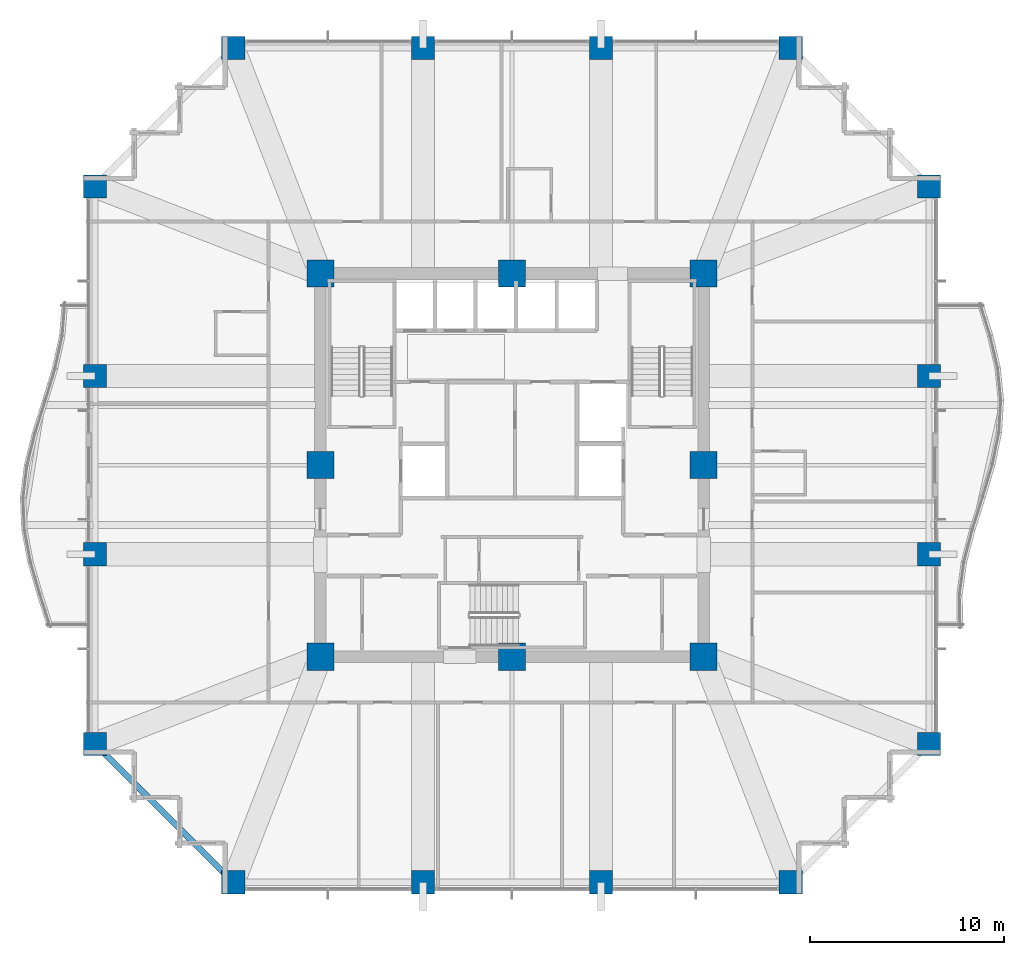
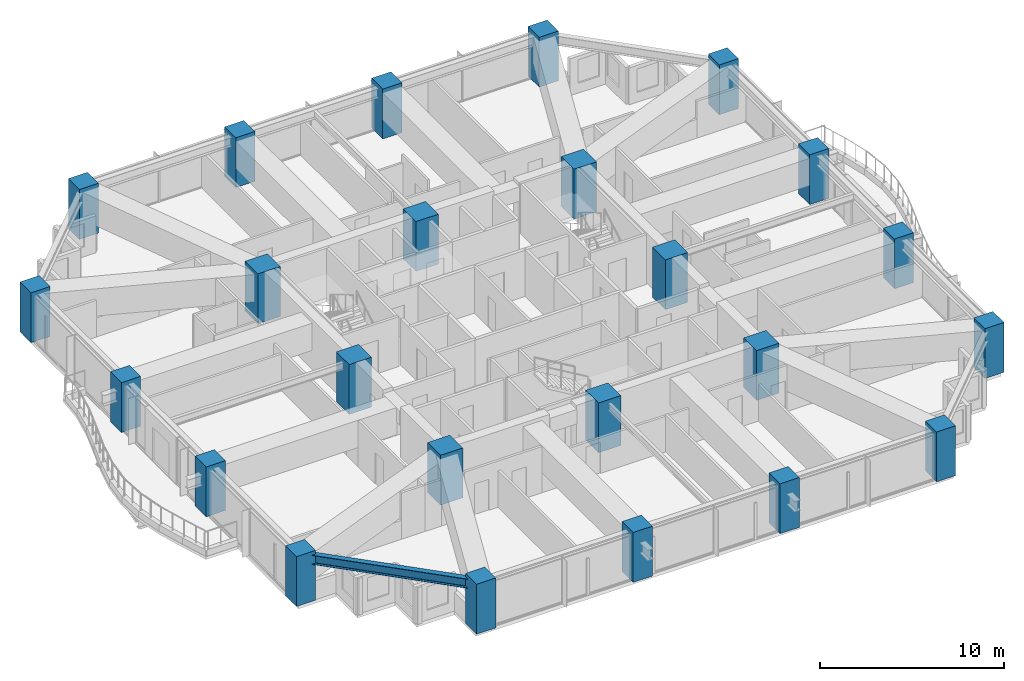
# One storey, part 1 of 39: 24 columns, 1 beam.
"""IFC4 building model written with IfcOpenShell, lengths in metres."""

import ifcopenshell
import ifcopenshell.guid

model = None  # the IFC model being written
_history = None  # IfcOwnerHistory: only IFC2X3 demands one
_inside = {}  # id of a spatial element -> (the spatial element, [elements in it])
_under = {}  # id of a project, library or spatial element -> (it, [spatial elements below it])
_declared = {}  # id of a project -> (the project, [libraries it declares])
_typed = {}  # id of a type object -> (the type object, [elements of that type])
_made_of = {}  # id of a material, layer set ... -> (it, [elements and type objects made of it])


def new_model(schema):
    """Start an empty IFC model of exactly this schema.

    Asked for "IFC4X3", IfcOpenShell would pick the latest addendum, in which some entities
    have other attributes; the version numbers below select the first issue.
    IFC2X3 requires an IfcOwnerHistory on every rooted entity: one is made here for all.
    """
    global model, _history
    if schema == "IFC4X3":
        model = ifcopenshell.file(schema_version=(4, 3, 0, 0))
    else:
        model = ifcopenshell.file(schema=schema)
    _inside.clear()
    _under.clear()
    _declared.clear()
    _typed.clear()
    _made_of.clear()
    _history = None
    if model.schema == "IFC2X3":
        org = make("IfcOrganization", Name="unknown")
        user = make(
            "IfcPersonAndOrganization",
            ThePerson=make("IfcPerson", FamilyName="unknown"),
            TheOrganization=org,
        )
        app = make(
            "IfcApplication",
            ApplicationDeveloper=org,
            Version="unknown",
            ApplicationFullName="unknown",
            ApplicationIdentifier="unknown",
        )
        _history = make(
            "IfcOwnerHistory",
            OwningUser=user,
            OwningApplication=app,
            ChangeAction="ADDED",
            CreationDate=0,
        )
    return model


def make(cls, **values):
    """One entity of the class cls with the attributes given. An attribute that is None is left unset."""
    return model.create_entity(
        cls, **{name: value for name, value in values.items() if value is not None}
    )


def rooted(cls, **values):
    """An entity with a GlobalId (a new one), such as an element, a storey or a relation."""
    return make(cls, GlobalId=ifcopenshell.guid.new(), OwnerHistory=_history, **values)


def si_unit(unit_type, name, prefix=None):
    """IfcSIUnit, for example si_unit("LENGTHUNIT", "METRE", prefix="MILLI")."""
    return make("IfcSIUnit", UnitType=unit_type, Prefix=prefix, Name=name)


def assignment(units):
    """IfcUnitAssignment: the units of a project."""
    return None if units is None else make("IfcUnitAssignment", Units=units)


def point(xyz):
    """IfcCartesianPoint."""
    return None if xyz is None else make("IfcCartesianPoint", Coordinates=xyz)


def direction(xyz):
    """IfcDirection."""
    return None if xyz is None else make("IfcDirection", DirectionRatios=xyz)


def frame(location, z_axis=None, x_axis=None):
    """IfcAxis2Placement3D, a coordinate frame: its origin and axes. An axis left out is left unset."""
    return make(
        "IfcAxis2Placement3D",
        Location=point(location),
        Axis=direction(z_axis),
        RefDirection=direction(x_axis),
    )


def frame_2d(location, x_axis=None):
    """IfcAxis2Placement2D, a coordinate frame in the plane: its origin and x axis."""
    return make(
        "IfcAxis2Placement2D", Location=point(location), RefDirection=direction(x_axis)
    )


def origin():
    """The frame at (0, 0, 0) with its axes left unset."""
    return frame((0.0, 0.0, 0.0))


def origin_2d():
    """The frame at (0, 0) in the plane with its x axis left unset."""
    return frame_2d((0.0, 0.0))


def place(relative_to, where):
    """IfcLocalPlacement: puts the frame where relative to a parent placement (None: the world)."""
    return make(
        "IfcLocalPlacement", PlacementRelTo=relative_to, RelativePlacement=where
    )


def context(
    kind, dimensions, precision=None, world=None, true_north=None, identifier=None
):
    """IfcGeometricRepresentationContext, for example the 3D "Model" context."""
    return make(
        "IfcGeometricRepresentationContext",
        ContextIdentifier=identifier,
        ContextType=kind,
        CoordinateSpaceDimension=dimensions,
        Precision=precision,
        WorldCoordinateSystem=world,
        TrueNorth=true_north,
    )


def subcontext(parent, identifier, kind, view, scale=None):
    """IfcGeometricRepresentationSubContext, for example "Body" below "Model"."""
    return make(
        "IfcGeometricRepresentationSubContext",
        ContextIdentifier=identifier,
        ContextType=kind,
        ParentContext=parent,
        TargetScale=scale,
        TargetView=view,
    )


def project(units=None, contexts=None):
    """IfcProject with its units and contexts."""
    return rooted(
        "IfcProject",
        Name="project",
        RepresentationContexts=contexts,
        UnitsInContext=assignment(units),
    )


def spatial(cls, under=None, at=None, **own):
    """A site, building, storey or space (cls), placed at a placement, below another one or the project."""
    s = rooted(cls, ObjectPlacement=at, **own)
    if under is not None:
        _under.setdefault(under.id(), (under, []))[1].append(s)
    return s


def profile(cls, at=None, kind="AREA", **sizes):
    """A parametric profile (cls). Its sizes go by their IFC names, for example OverallWidth=200.0."""
    return make(cls, ProfileType=kind, Position=at, **sizes)


def rectangle(**sizes):
    """IfcRectangleProfileDef."""
    return profile("IfcRectangleProfileDef", **sizes)


def i_section(**sizes):
    """IfcIShapeProfileDef."""
    return profile("IfcIShapeProfileDef", **sizes)


def extrude(swept, where, along, depth):
    """IfcExtrudedAreaSolid: the profile swept, set in the frame where, extruded along a direction by depth."""
    return make(
        "IfcExtrudedAreaSolid",
        SweptArea=swept,
        Position=where,
        ExtrudedDirection=direction(along),
        Depth=depth,
    )


def shape(context_of_items, identifier, shape_type, items):
    """IfcShapeRepresentation: the items that make up one representation, for example the "Body"."""
    return make(
        "IfcShapeRepresentation",
        ContextOfItems=context_of_items,
        RepresentationIdentifier=identifier,
        RepresentationType=shape_type,
        Items=items,
    )


def material(Name=None, Category=None):
    """IfcMaterial."""
    return make("IfcMaterial", Name=Name, Category=Category)


def material_profile(
    of_material, cross_section, Name=None, Category=None, Priority=None
):
    """IfcMaterialProfile: a cross section and its material."""
    return make(
        "IfcMaterialProfile",
        Name=Name,
        Material=of_material,
        Profile=cross_section,
        Priority=Priority,
        Category=Category,
    )


def profile_set(profiles, Name=None, composite=None):
    """IfcMaterialProfileSet."""
    return make(
        "IfcMaterialProfileSet",
        Name=Name,
        MaterialProfiles=profiles,
        CompositeProfile=composite,
    )


def made_of(thing, what):
    """Note that an element or type object is made of a material, layer set ...; save() writes the relation."""
    if what is not None:
        _made_of.setdefault(what.id(), (what, []))[1].append(thing)
    return thing


def type_object(cls, material=None, **own):
    """A type object (cls), such as IfcWallType, which elements share."""
    return made_of(rooted(cls, **own), material)


def element(
    cls,
    number,
    at=None,
    inside=None,
    cuts=None,
    type_object=None,
    material=None,
    context=None,
    identifier="Body",
    shape_type=None,
    held_by="IfcProductDefinitionShape",
    body=None,
    shapes=None,
    **own,
):
    """One element of the class cls, such as IfcWall. Its Tag is "e" and its number.

    at: its placement. inside: the storey or other place that contains it. cuts: it is an
    opening in that element (IfcRelVoidsElement). A single representation is given by context,
    identifier, shape_type and body (its items); several are given by shapes. held_by: the class
    of the entity that holds the representations. save() writes the other relations.
    """
    e = rooted(cls, Tag="e%d" % number, ObjectPlacement=at, **own)
    if body is not None:
        shapes = [shape(context, identifier, shape_type, body)]
    if shapes is not None:
        e.Representation = make(held_by, Representations=shapes)
    if inside is not None:
        _inside.setdefault(inside.id(), (inside, []))[1].append(e)
    if cuts is not None:
        rooted(
            "IfcRelVoidsElement", RelatingBuildingElement=cuts, RelatedOpeningElement=e
        )
    if type_object is not None:
        _typed.setdefault(type_object.id(), (type_object, []))[1].append(e)
    return made_of(e, material)


def aggregate(whole, parts):
    """IfcRelAggregates: a whole, such as a stair, and the parts it consists of."""
    return rooted("IfcRelAggregates", RelatingObject=whole, RelatedObjects=parts)


def save(model, path):
    """Write the relations noted so far, then the file.

    IfcRelAggregates (storeys below a building ...), IfcRelContainedInSpatialStructure (elements
    in a storey), IfcRelDefinesByType, IfcRelAssociatesMaterial and IfcRelDeclares: one each for
    every whole, place, type object, material and project.
    """
    for whole, parts in _under.values():
        aggregate(whole, parts)
    for where, things in _inside.values():
        rooted(
            "IfcRelContainedInSpatialStructure",
            RelatedElements=things,
            RelatingStructure=where,
        )
    for kind, things in _typed.values():
        rooted("IfcRelDefinesByType", RelatedObjects=things, RelatingType=kind)
    for what, things in _made_of.values():
        rooted("IfcRelAssociatesMaterial", RelatedObjects=things, RelatingMaterial=what)
    for by, libraries in _declared.values():
        rooted("IfcRelDeclares", RelatingContext=by, RelatedDefinitions=libraries)
    model.write(path)


model = new_model("IFC4")

# Units and contexts
model_context = context("Model", 3, precision=1e-05, world=origin(), true_north=direction((0.0, 1.0)))
body_context = subcontext(model_context, "Body", "Model", "MODEL_VIEW")
ifc_project = project(units=[si_unit("LENGTHUNIT", "METRE"), si_unit("AREAUNIT", "SQUARE_METRE"), si_unit("VOLUMEUNIT", "CUBIC_METRE"), si_unit("PLANEANGLEUNIT", "RADIAN"), si_unit("MASSUNIT", "GRAM", prefix="KILO")], contexts=[model_context])

# Site, building, storey
site_placement = place(None, origin())
site = spatial("IfcSite", under=ifc_project, at=site_placement, CompositionType="ELEMENT")
building_placement = place(site_placement, origin())
building = spatial("IfcBuilding", under=site, at=building_placement, Name="Kolvaren Belvedere", CompositionType="ELEMENT")
storey_placement = place(building_placement, frame((0.0, 0.0, 40.300048828125)))
storey = spatial("IfcBuildingStorey", under=building, at=storey_placement, Name="L11", CompositionType="ELEMENT", Elevation=40.300048828125)

# Columns
ifc_material_1 = material(Name="Concrete C60/75", Category="concrete")
ifc_material_profile_1 = material_profile(ifc_material_1, rectangle(XDim=1.199951171875, YDim=1.199951171875, at=origin_2d()), Name="RC 1200X1200")
ifc_profile_set_1 = profile_set([ifc_material_profile_1], Name="Concrete C60/75")
column_type_1 = type_object("IfcColumnType", Name="COL-RC-1200", PredefinedType="COLUMN", material=ifc_profile_set_1)
for number, where, z_axis, x_axis, name in (
    (1, (-14.39990234375, -21.550048828125, 0.0), (0.0, 0.0, 1.0), (1.0, 0.0, 0.0), "L11 Perimeter Column S1"),
    (2, (-4.60009765625, -21.550048828125, 0.0), (0.0, 0.0, 1.0), (1.0, 0.0, 0.0), "L11 Perimeter Column S2"),
    (3, (4.60009765625, -21.550048828125, 0.0), (0.0, 0.0, 1.0), (1.0, 0.0, 0.0), "L11 Perimeter Column S3"),
    (4, (14.39990234375, -21.550048828125, 0.0), (0.0, 0.0, 1.0), (1.0, 0.0, 0.0), "L11 Perimeter Column S4"),
    (5, (-14.39990234375, 21.550048828125, 0.0), (0.0, 0.0, 1.0), (1.0, 0.0, 0.0), "L11 Perimeter Column N1"),
    (6, (-4.60009765625, 21.550048828125, 0.0), (0.0, 0.0, 1.0), (1.0, 0.0, 0.0), "L11 Perimeter Column N2"),
    (7, (4.60009765625, 21.550048828125, 0.0), (0.0, 0.0, 1.0), (1.0, 0.0, 0.0), "L11 Perimeter Column N3"),
    (8, (14.39990234375, 21.550048828125, 0.0), (0.0, 0.0, 1.0), (1.0, 0.0, 0.0), "L11 Perimeter Column N4"),
    (9, (-21.550048828125, -14.39990234375, 0.0), (0.0, 0.0, 1.0), (1.0, 0.0, 0.0), "L11 Perimeter Column W1"),
    (10, (-21.550048828125, -4.60009765625, 0.0), (0.0, 0.0, 1.0), (1.0, 0.0, 0.0), "L11 Perimeter Column W2"),
    (11, (-21.550048828125, 4.60009765625, 0.0), (0.0, 0.0, 1.0), (1.0, 0.0, 0.0), "L11 Perimeter Column W3"),
    (12, (-21.550048828125, 14.39990234375, 0.0), (0.0, 0.0, 1.0), (1.0, 0.0, 0.0), "L11 Perimeter Column W4"),
    (13, (21.550048828125, -14.39990234375, 0.0), (0.0, 0.0, 1.0), (1.0, 0.0, 0.0), "L11 Perimeter Column E1"),
    (14, (21.550048828125, -4.60009765625, 0.0), (0.0, 0.0, 1.0), (1.0, 0.0, 0.0), "L11 Perimeter Column E2"),
    (15, (21.550048828125, 4.60009765625, 0.0), (0.0, 0.0, 1.0), (1.0, 0.0, 0.0), "L11 Perimeter Column E3"),
    (16, (21.550048828125, 14.39990234375, 0.0), (0.0, 0.0, 1.0), (1.0, 0.0, 0.0), "L11 Perimeter Column E4"),
):
    element("IfcColumn", number, at=place(storey_placement, frame(where, z_axis=z_axis, x_axis=x_axis)), inside=storey, type_object=column_type_1, Name=name, PredefinedType="COLUMN", context=body_context, shape_type="SweptSolid", body=[
        extrude(rectangle(XDim=1.199951171875, YDim=1.199951171875, at=origin_2d()), origin(), (0.0, 0.0, 1.0), 3.300048828125),
    ])
ifc_material_2 = material(Name="Concrete C60/75", Category="concrete")
ifc_material_profile_2 = material_profile(ifc_material_2, rectangle(XDim=1.39990234375, YDim=1.39990234375, at=origin_2d()), Name="RC 1400X1400")
ifc_profile_set_2 = profile_set([ifc_material_profile_2], Name="Concrete C60/75")
column_type_2 = type_object("IfcColumnType", Name="COL-RC-1400", PredefinedType="COLUMN", material=ifc_profile_set_2)
for number, where, z_axis, x_axis, name in (
    (17, (-9.89990234375, -9.89990234375, 0.0), (0.0, 0.0, 1.0), (1.0, 0.0, 0.0), "L11 Core Column CC1"),
    (18, (9.89990234375, -9.89990234375, 0.0), (0.0, 0.0, 1.0), (1.0, 0.0, 0.0), "L11 Core Column CC2"),
    (19, (9.89990234375, 9.89990234375, 0.0), (0.0, 0.0, 1.0), (1.0, 0.0, 0.0), "L11 Core Column CC3"),
    (20, (-9.89990234375, 9.89990234375, 0.0), (0.0, 0.0, 1.0), (1.0, 0.0, 0.0), "L11 Core Column CC4"),
    (21, (0.0, -9.89990234375, 0.0), (0.0, 0.0, 1.0), (1.0, 0.0, 0.0), "L11 Core Column CM1"),
    (22, (9.89990234375, 0.0, 0.0), (0.0, 0.0, 1.0), (1.0, 0.0, 0.0), "L11 Core Column CM2"),
    (23, (0.0, 9.89990234375, 0.0), (0.0, 0.0, 1.0), (1.0, 0.0, 0.0), "L11 Core Column CM3"),
    (24, (-9.89990234375, 0.0, 0.0), (0.0, 0.0, 1.0), (1.0, 0.0, 0.0), "L11 Core Column CM4"),
):
    element("IfcColumn", number, at=place(storey_placement, frame(where, z_axis=z_axis, x_axis=x_axis)), inside=storey, type_object=column_type_2, Name=name, PredefinedType="COLUMN", context=body_context, shape_type="SweptSolid", body=[
        extrude(rectangle(XDim=1.39990234375, YDim=1.39990234375, at=origin_2d()), origin(), (0.0, 0.0, 1.0), 3.300048828125),
    ])

# Beam
ifc_material_3 = material(Name="Structural steel ASTM A992 Grade 50", Category="steel")
ifc_material_profile_3 = material_profile(ifc_material_3, i_section(OverallWidth=0.324951171875, OverallDepth=0.615966796875, WebThickness=0.013916015625, FlangeThickness=0.021484375, FilletRadius=0.02001953125, at=origin_2d()), Name="W24X117")
ifc_profile_set_3 = profile_set([ifc_material_profile_3], Name="Structural steel ASTM A992 Grade 50")
beam_type = type_object("IfcBeamType", Name="BM-SPAN-W24X117", PredefinedType="SPANDREL", material=ifc_profile_set_3)
beam_placement = place(storey_placement, frame((-21.359130859375, -14.5908203125, 2.751953125), z_axis=(0.707106781187, -0.707106781187, 0.0), x_axis=(0.707106781187, 0.707106781187, 0.0)))
element("IfcBeam", 25, at=beam_placement, inside=storey, type_object=beam_type, Name="L11 Perimeter Spandrel W1-S1", PredefinedType="SPANDREL", context=body_context, shape_type="SweptSolid", body=[
    extrude(i_section(OverallWidth=0.324951171875, OverallDepth=0.615966796875, WebThickness=0.013916015625, FlangeThickness=0.021484375, FilletRadius=0.02001953125, at=origin_2d()), origin(), (0.0, 0.0, 1.0), 9.57177734375),
])

save(model, "model.ifc")
